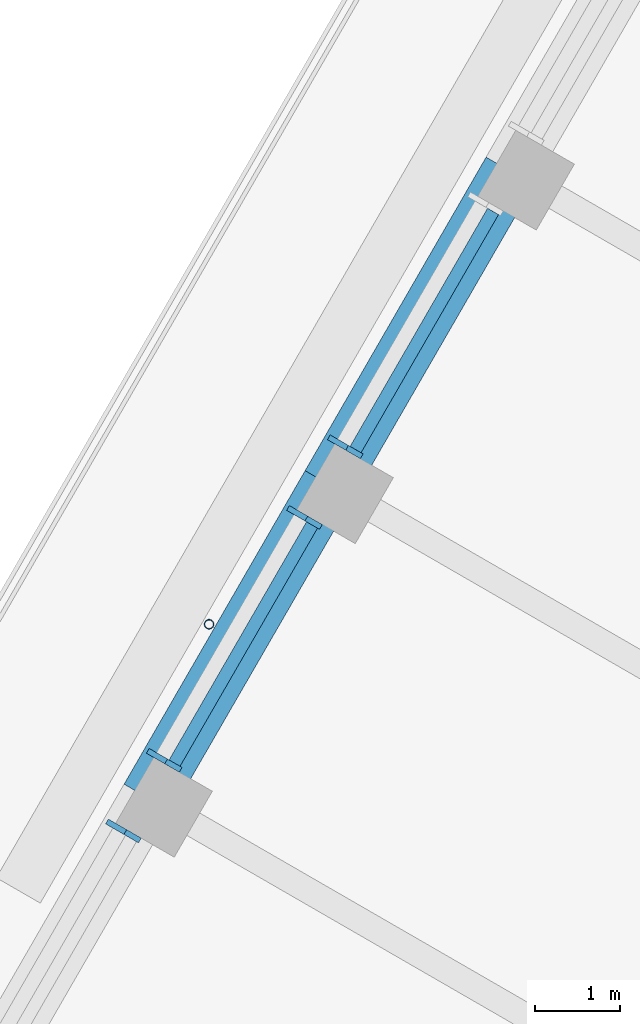
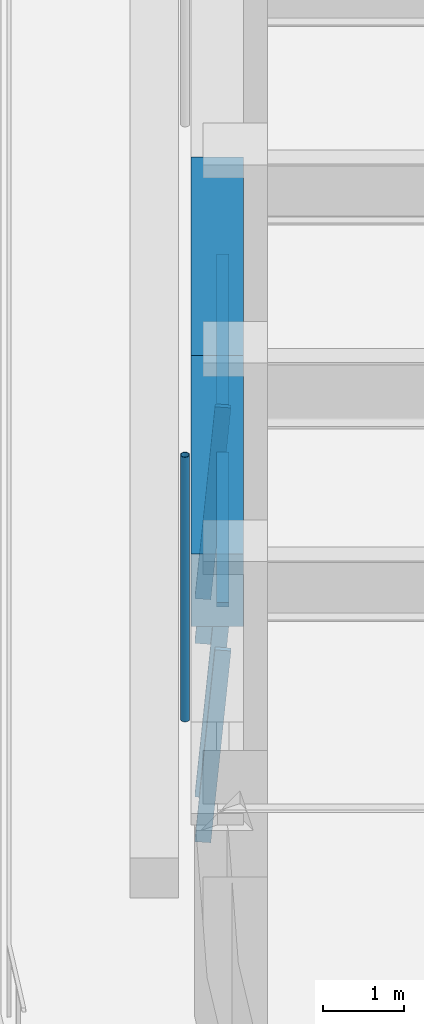
# One storey, part 6 of 19: 7 members, 2 beams, 3 elements without a shape of their own.
"""IFC4 building model written with IfcOpenShell, lengths in metres."""

from ifc_helpers import new_model, si_unit, direction, frame, origin, origin_2d, place, context, subcontext, project, spatial, rectangle, hollow_circle, extrude, material, material_profile, profile_set, type_object, element, aggregate, save


model = new_model("IFC4")

# Units and contexts
model_context = context("Model", 3, precision=1e-05, world=origin(), true_north=direction((0.0, 1.0)))
body_context = subcontext(model_context, "Body", "Model", "MODEL_VIEW")
ifc_project = project(units=[si_unit("LENGTHUNIT", "METRE"), si_unit("AREAUNIT", "SQUARE_METRE"), si_unit("VOLUMEUNIT", "CUBIC_METRE"), si_unit("PLANEANGLEUNIT", "RADIAN"), si_unit("MASSUNIT", "GRAM", prefix="KILO")], contexts=[model_context])

# Site, building, storey
site_placement = place(None, origin())
site = spatial("IfcSite", under=ifc_project, at=site_placement, CompositionType="ELEMENT")
building_placement = place(site_placement, origin())
building = spatial("IfcBuilding", under=site, at=building_placement, Name="Tarfa Lantern Tower", CompositionType="ELEMENT")
storey_placement = place(building_placement, frame((0.0, 0.0, 357.699951171875)))
storey = spatial("IfcBuildingStorey", under=building, at=storey_placement, Name="L81", CompositionType="ELEMENT", Elevation=357.699951171875)

# Curtain wall, member
ifc_material_1 = material(Name="Aluminium framed curtain wall", Category="aluminium")
curtain_wall_type = type_object("IfcCurtainWallType", Name="CW4 CANTED GLAZING EXECUTIVE ZONE 2900", PredefinedType="USERDEFINED", material=ifc_material_1)
curtain_wall_1_placement = place(storey_placement, origin())
curtain_wall_1 = element("IfcCurtainWall", 1, at=curtain_wall_1_placement, inside=storey, type_object=curtain_wall_type, Name="CW4 NW L81", ObjectType="CURTAIN WALL", PredefinedType="USERDEFINED")
ifc_material_2 = material(Name="Aluminium mullion", Category="aluminium")
ifc_material_profile_1 = material_profile(ifc_material_2, rectangle(XDim=0.06494140625, YDim=0.199951171875, at=origin_2d()), Name="AL MULLION 65x200")
ifc_profile_set_1 = profile_set([ifc_material_profile_1], Name="Aluminium mullion")
member_type_1 = type_object("IfcMemberType", Name="CWM1 MULLION 65x200", PredefinedType="MULLION", material=ifc_profile_set_1)
member_1_placement = place(storey_placement, frame((-24.979248046875, 10.034423828125, 0.0), z_axis=(0.074310195522, -0.042942234884, 0.996310172238), x_axis=(0.500342721131, 0.865827443207, 0.0)))
member_1 = element("IfcMember", 2, at=member_1_placement, type_object=member_type_1, Name="CW4 mullion 2", PredefinedType="MULLION", context=body_context, shape_type="SweptSolid", body=[
    extrude(rectangle(XDim=0.06494140625, YDim=0.199951171875, at=origin_2d()), origin(), (0.0, 0.0, 1.0), 2.910888671875),
])

# Curtain wall, members
curtain_wall_2_placement = place(storey_placement, origin())
curtain_wall_2 = element("IfcCurtainWall", 3, at=curtain_wall_2_placement, inside=storey, type_object=curtain_wall_type, Name="CW4 NW L81", ObjectType="CURTAIN WALL", PredefinedType="USERDEFINED")
member_2_placement = place(storey_placement, frame((-25.4619140625, 9.19873046875, 0.0), z_axis=(0.074393603155, -0.042941967097, 0.996303959277), x_axis=(0.499919672301, 0.866071776036, 0.0)))
member_2 = element("IfcMember", 4, at=member_2_placement, type_object=member_type_1, Name="CW4 mullion 1", PredefinedType="MULLION", context=body_context, shape_type="SweptSolid", body=[
    extrude(rectangle(XDim=0.06494140625, YDim=0.199951171875, at=origin_2d()), origin(), (0.0, 0.0, 1.0), 2.910888671875),
])
member_3_placement = place(storey_placement, frame((-27.120361328125, 6.326171875, 0.0), z_axis=(0.074393603155, -0.042941967097, 0.996303959277), x_axis=(0.499919672301, 0.866071776036, 0.0)))
member_3 = element("IfcMember", 5, at=member_3_placement, type_object=member_type_1, Name="CW4 mullion 2", PredefinedType="MULLION", context=body_context, shape_type="SweptSolid", body=[
    extrude(rectangle(XDim=0.06494140625, YDim=0.199951171875, at=origin_2d()), origin(), (0.0, 0.0, 1.0), 2.910888671875),
])

# Curtain wall, member
curtain_wall_3_placement = place(storey_placement, origin())
curtain_wall_3 = element("IfcCurtainWall", 6, at=curtain_wall_3_placement, inside=storey, type_object=curtain_wall_type, Name="CW4 NW L81", ObjectType="CURTAIN WALL", PredefinedType="USERDEFINED")
member_4_placement = place(storey_placement, frame((-27.602783203125, 5.490478515625, 0.0), z_axis=(0.074393603155, -0.042941967097, 0.996303959277), x_axis=(0.499919672301, 0.866071776036, 0.0)))
member_4 = element("IfcMember", 7, at=member_4_placement, type_object=member_type_1, Name="CW4 mullion 1", PredefinedType="MULLION", context=body_context, shape_type="SweptSolid", body=[
    extrude(rectangle(XDim=0.06494140625, YDim=0.199951171875, at=origin_2d()), origin(), (0.0, 0.0, 1.0), 2.910888671875),
])
aggregate(curtain_wall_3, [member_4])

# Member
ifc_material_3 = material(Name="Aluminium transom", Category="aluminium")
ifc_material_profile_2 = material_profile(ifc_material_3, rectangle(XDim=0.14990234375, YDim=0.06494140625, at=origin_2d()), Name="AL TRANSOM 150x65")
ifc_profile_set_2 = profile_set([ifc_material_profile_2], Name="Aluminium transom")
member_type_2 = type_object("IfcMemberType", Name="CWT1 TRANSOM 150x65", PredefinedType="USERDEFINED", material=ifc_profile_set_2)
member_5_placement = place(storey_placement, frame((-23.123046875, 12.75537109375, 2.867431640625), z_axis=(-0.499982393232, -0.866035568818, 0.0), x_axis=(0.866035568818, -0.499982393232, 0.0)))
member_5 = element("IfcMember", 8, at=member_5_placement, type_object=member_type_2, Name="CW4 transom 1.2", ObjectType="TRANSOM", PredefinedType="USERDEFINED", context=body_context, shape_type="SweptSolid", body=[
    extrude(rectangle(XDim=0.14990234375, YDim=0.06494140625, at=origin_2d()), origin(), (0.0, 0.0, 1.0), 3.251953125),
])

aggregate(curtain_wall_1, [member_1, member_5])

member_6_placement = place(storey_placement, frame((-25.263916015625, 9.047119140625, 2.867431640625), z_axis=(-0.499982393232, -0.866035568818, 0.0), x_axis=(0.866035568818, -0.499982393232, 0.0)))
member_6 = element("IfcMember", 9, at=member_6_placement, type_object=member_type_2, Name="CW4 transom 1.2", ObjectType="TRANSOM", PredefinedType="USERDEFINED", context=body_context, shape_type="SweptSolid", body=[
    extrude(rectangle(XDim=0.14990234375, YDim=0.06494140625, at=origin_2d()), origin(), (0.0, 0.0, 1.0), 3.251953125),
])

aggregate(curtain_wall_2, [member_2, member_3, member_6])

# Beams
ifc_material_4 = material(Name="Concrete C80/95", Category="concrete")
ifc_material_profile_3 = material_profile(ifc_material_4, rectangle(XDim=0.64990234375, YDim=1.10009765625, at=origin_2d()), Name="RC 650x1100")
ifc_profile_set_3 = profile_set([ifc_material_profile_3], Name="Concrete C80/95")
beam_type = type_object("IfcBeamType", Name="EB4 RC 650x1100", PredefinedType="SPANDREL", material=ifc_profile_set_3)
beam_1_placement = place(storey_placement, frame((-22.923583984375, 13.235107421875, 3.449951171875), z_axis=(-0.500002112793, -0.866024183959, 0.0), x_axis=(0.866024183959, -0.500002112793, 0.0)))
element("IfcBeam", 10, at=beam_1_placement, inside=storey, type_object=beam_type, Name="Edge beam NW3", PredefinedType="SPANDREL", context=body_context, shape_type="SweptSolid", body=[
    extrude(rectangle(XDim=0.64990234375, YDim=1.10009765625, at=origin_2d()), origin(), (0.0, 0.0, 1.0), 4.2822265625),
])
beam_2_placement = place(storey_placement, frame((-25.064697265625, 9.526611328125, 3.449951171875), z_axis=(-0.500026801138, -0.866009929587, 0.0), x_axis=(0.866009929587, -0.500026801138, 0.0)))
element("IfcBeam", 11, at=beam_2_placement, inside=storey, type_object=beam_type, Name="Edge beam NW4", PredefinedType="SPANDREL", context=body_context, shape_type="SweptSolid", body=[
    extrude(rectangle(XDim=0.64990234375, YDim=1.10009765625, at=origin_2d()), origin(), (0.0, 0.0, 1.0), 4.281982421875),
])

# Member
ifc_material_5 = material(Name="Steel S355", Category="steel")
ifc_material_profile_4 = material_profile(ifc_material_5, hollow_circle(Radius=0.05712890625, WallThickness=0.00634765625, at=origin_2d()), Name="CHS114.3x6.3")
ifc_profile_set_4 = profile_set([ifc_material_profile_4], Name="Steel S355")
member_type_3 = type_object("IfcMemberType", Name="TR1 GREEN WALL TRELLIS CHS114.3x6.3", PredefinedType="USERDEFINED", material=ifc_profile_set_4)
member_7_placement = place(storey_placement, frame((-26.481689453125, 7.87255859375, 0.0), z_axis=(0.0, 0.0, 1.0), x_axis=(1.0, 0.0, 0.0)))
element("IfcMember", 12, at=member_7_placement, inside=storey, type_object=member_type_3, Name="Trellis post NW 2", ObjectType="TRELLIS", PredefinedType="USERDEFINED", context=body_context, shape_type="SweptSolid", body=[
    extrude(hollow_circle(Radius=0.05712890625, WallThickness=0.00634765625, at=origin_2d()), origin(), (0.0, 0.0, 1.0), 4.0),
])

save(model, "model.ifc")
